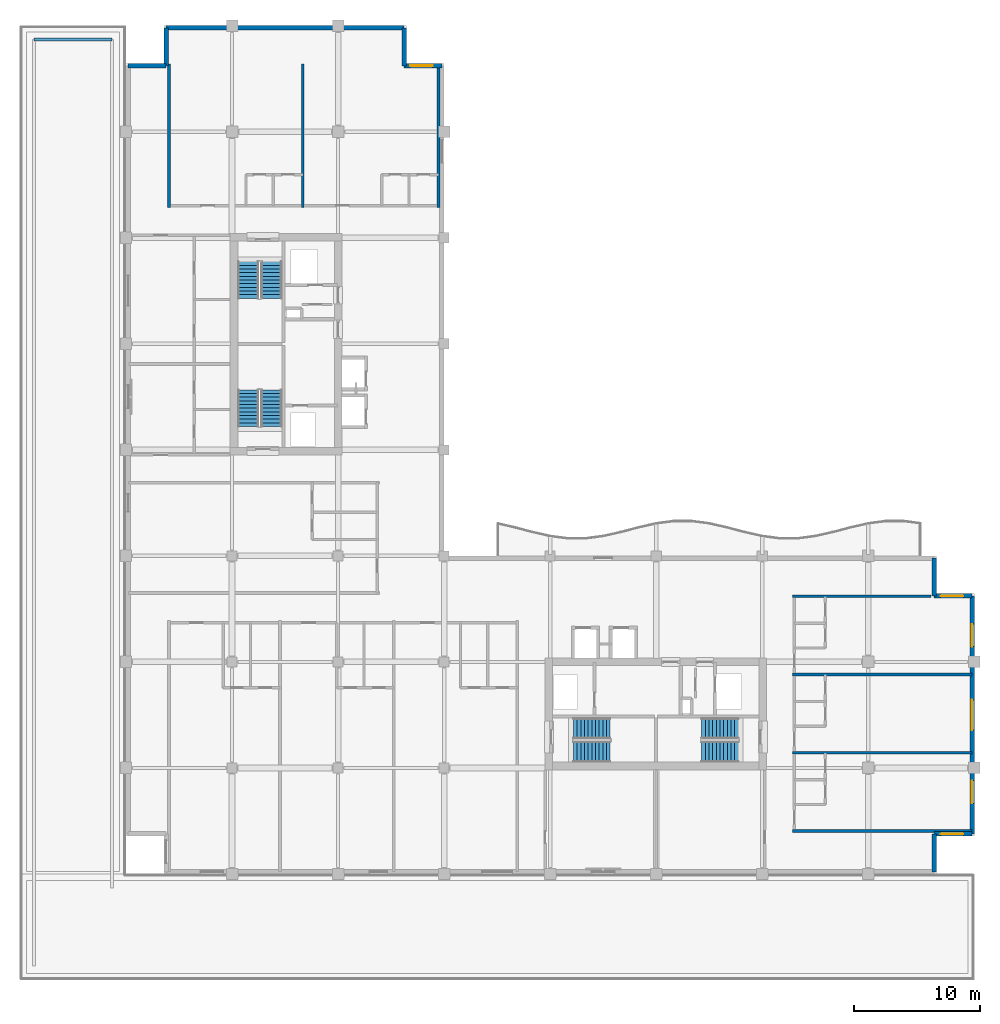
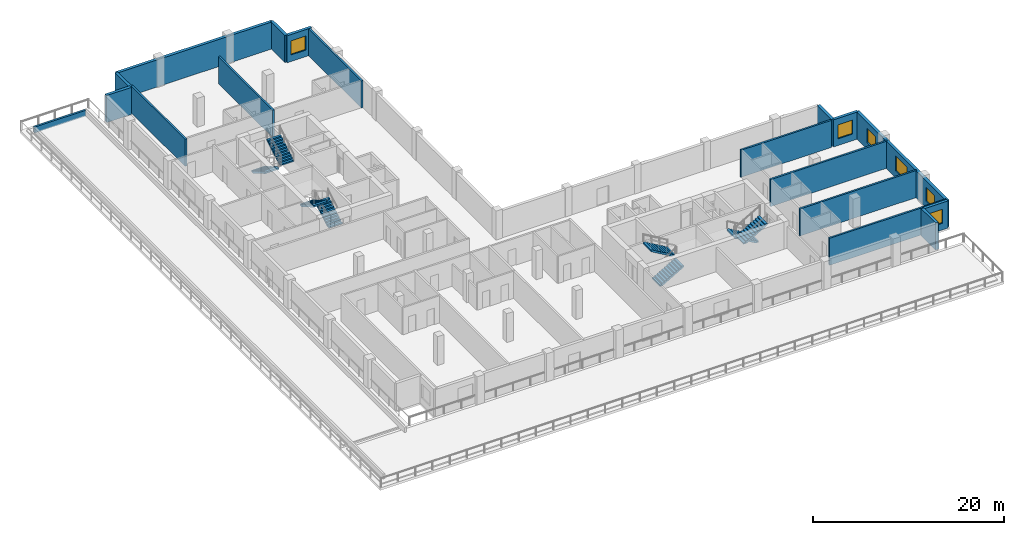
# One storey, part 7 of 13: 18 walls, 8 stair flights, 6 windows, 6 openings, 4 elements without a shape of their own.
"""IFC4 building model written with IfcOpenShell, lengths in metres."""

from ifc_helpers import new_model, si_unit, direction, frame, frame_2d, origin, place, context, subcontext, project, spatial, polyline, rectangle, outline, extrude, material, layer, layer_set, type_object, element, fill, aggregate, save


model = new_model("IFC4")

# Units and contexts
model_context = context("Model", 3, precision=1e-05, world=origin(), true_north=direction((0.0, 1.0)))
body_context = subcontext(model_context, "Body", "Model", "MODEL_VIEW")
ifc_project = project(units=[si_unit("LENGTHUNIT", "METRE"), si_unit("AREAUNIT", "SQUARE_METRE"), si_unit("VOLUMEUNIT", "CUBIC_METRE"), si_unit("PLANEANGLEUNIT", "RADIAN"), si_unit("MASSUNIT", "GRAM", prefix="KILO")], contexts=[model_context])

# Site, building, storey
site_placement = place(None, origin())
site = spatial("IfcSite", under=ifc_project, at=site_placement, CompositionType="ELEMENT")
building_placement = place(site_placement, origin())
building = spatial("IfcBuilding", under=site, at=building_placement, Name="Koriwani Terraces Tower", CompositionType="ELEMENT")
storey_placement = place(building_placement, frame((0.0, 0.0, 234.199951171875)))
storey = spatial("IfcBuildingStorey", under=building, at=storey_placement, Name="L57", CompositionType="ELEMENT", Elevation=234.199951171875)

# Walls
ifc_material_1 = material(Name="Autoclaved Cellular Concrete Blockwork", Category="masonry")
ifc_layer_1 = layer(ifc_material_1, 0.219970703125, Name="Autoclaved Cellular Concrete Blockwork")
ifc_layer_set_1 = layer_set([ifc_layer_1], Name="Autoclaved Cellular Concrete Blockwork")
wall_type_1 = type_object("IfcWallType", Name="WALL_DEMISING_220", PredefinedType="PARTITIONING", material=ifc_layer_set_1)
for number, where, z_axis, x_axis, name in (
    (1, (11.800048828125, 61.199951171875, 0.0), (0.0, 0.0, 1.0), (0.0, 1.0, 0.0), "L57 Interior Wall WRDEM-L57-NTS-0"),
    (2, (22.39990234375, 61.199951171875, 0.0), (0.0, 0.0, 1.0), (0.0, 1.0, 0.0), "L57 Interior Wall WRDEM-L57-NTS-1"),
    (3, (33.14990234375, 61.199951171875, 0.0), (0.0, 0.0, 1.0), (0.0, 1.0, 0.0), "L57 Interior Wall WRDEME-L57-NTS"),
):
    element("IfcWall", number, at=place(storey_placement, frame(where, z_axis=z_axis, x_axis=x_axis)), inside=storey, type_object=wall_type_1, Name=name, PredefinedType="PARTITIONING", context=body_context, shape_type="SweptSolid", body=[
        extrude(rectangle(XDim=11.380126953125, YDim=0.219970703125, at=frame_2d((5.68994140625, 0.0))), origin(), (0.0, 0.0, 1.0), 3.469970703125),
    ])
for number, where, z_axis, x_axis, name in (
    (4, (61.199951171875, 11.800048828125, 0.0), (0.0, 0.0, 1.0), (1.0, 0.0, 0.0), "L57 Interior Wall WRDEM-L57-ETE-0"),
    (5, (61.199951171875, 18.0, 0.0), (0.0, 0.0, 1.0), (1.0, 0.0, 0.0), "L57 Interior Wall WRDEM-L57-ETE-1"),
    (6, (61.199951171875, 24.199951171875, 0.0), (0.0, 0.0, 1.0), (1.0, 0.0, 0.0), "L57 Interior Wall WRDEM-L57-ETE-2"),
):
    element("IfcWall", number, at=place(storey_placement, frame(where, z_axis=z_axis, x_axis=x_axis)), inside=storey, type_object=wall_type_1, Name=name, PredefinedType="PARTITIONING", context=body_context, shape_type="SweptSolid", body=[
        extrude(rectangle(XDim=14.199951171875, YDim=0.219970703125, at=frame_2d((7.10009765625, 0.0))), origin(), (0.0, 0.0, 1.0), 3.469970703125),
    ])
wall_1_placement = place(storey_placement, frame((61.199951171875, 30.39990234375, 0.0), z_axis=(0.0, 0.0, 1.0), x_axis=(1.0, 0.0, 0.0)))
element("IfcWall", 7, at=wall_1_placement, inside=storey, type_object=wall_type_1, Name="L57 Interior Wall WRDEME-L57-ETE", PredefinedType="PARTITIONING", context=body_context, shape_type="SweptSolid", body=[
    extrude(rectangle(XDim=10.97998046875, YDim=0.219970703125, at=frame_2d((5.489990234375, 0.0))), origin(), (0.0, 0.0, 1.0), 3.469970703125),
])
ifc_material_2 = material(Name="Concrete C50/60", Category="concrete")
ifc_layer_2 = layer(ifc_material_2, 0.35009765625, Name="Concrete C50/60")
ifc_layer_set_2 = layer_set([ifc_layer_2], Name="Concrete C50/60")
wall_type_2 = type_object("IfcWallType", Name="WALL_EXT_BRUTALIST_350", PredefinedType="STANDARD", material=ifc_layer_set_2)
for number, where, z_axis, x_axis, name in (
    (8, (8.574951171875, 72.425048828125, 0.0), (0.0, 0.0, 1.0), (1.0, 0.0, 0.0), "L57 Fair-Faced Brutalist Exterior Wall (N3)"),
    (9, (11.574951171875, 72.425048828125, 0.0), (0.0, 0.0, 1.0), (0.0, 1.0, 0.0), "L57 Fair-Faced Brutalist Exterior Wall (N4)"),
):
    element("IfcWall", number, at=place(storey_placement, frame(where, z_axis=z_axis, x_axis=x_axis)), inside=storey, type_object=wall_type_2, Name=name, PredefinedType="STANDARD", context=body_context, shape_type="SweptSolid", body=[
        extrude(rectangle(XDim=3.0, YDim=0.35009765625, at=frame_2d((1.5, 0.0))), origin(), (0.0, 0.0, 1.0), 3.469970703125),
    ])
wall_2_placement = place(storey_placement, frame((11.574951171875, 75.425048828125, 0.0), z_axis=(0.0, 0.0, 1.0), x_axis=(1.0, 0.0, 0.0)))
element("IfcWall", 10, at=wall_2_placement, inside=storey, type_object=wall_type_2, Name="L57 Fair-Faced Brutalist Exterior Wall (N_TIP)", PredefinedType="STANDARD", context=body_context, shape_type="SweptSolid", body=[
    extrude(rectangle(XDim=18.85009765625, YDim=0.35009765625, at=frame_2d((9.425048828125, 0.0))), origin(), (0.0, 0.0, 1.0), 3.469970703125),
])
wall_3_placement = place(storey_placement, frame((30.425048828125, 75.425048828125, 0.0), z_axis=(0.0, 0.0, 1.0), x_axis=(0.0, -1.0, 0.0)))
element("IfcWall", 11, at=wall_3_placement, inside=storey, type_object=wall_type_2, Name="L57 Fair-Faced Brutalist Exterior Wall (N6)", PredefinedType="STANDARD", context=body_context, shape_type="SweptSolid", body=[
    extrude(rectangle(XDim=3.0, YDim=0.35009765625, at=frame_2d((1.5, 0.0))), origin(), (0.0, 0.0, 1.0), 3.469970703125),
])

# Wall, opening, window
wall_4_placement = place(storey_placement, frame((30.425048828125, 72.425048828125, 0.0), z_axis=(0.0, 0.0, 1.0), x_axis=(1.0, 0.0, 0.0)))
wall_4 = element("IfcWall", 12, at=wall_4_placement, inside=storey, type_object=wall_type_2, Name="L57 Fair-Faced Brutalist Exterior Wall (N7)", PredefinedType="STANDARD", context=body_context, shape_type="SweptSolid", body=[
    extrude(rectangle(XDim=3.0, YDim=0.35009765625, at=frame_2d((1.5, 0.0))), origin(), (0.0, 0.0, 1.0), 3.469970703125),
])
opening_1_placement = place(wall_4_placement, frame((0.472412109375, 0.0, 0.85009765625)))
opening_1 = element("IfcOpeningElement", 13, at=opening_1_placement, cuts=wall_4, Name="Opening W-04", PredefinedType="OPENING", context=body_context, shape_type="SweptSolid", body=[
    extrude(rectangle(XDim=1.800048828125, YDim=1.800048828125, at=frame_2d((0.89990234375, 0.89990234375))), frame((0.0, 0.18505859375, 0.0), z_axis=(0.0, -1.0, 0.0), x_axis=(1.0, 0.0, 0.0)), (0.0, 0.0, 1.0), 0.3701171875),
])
ifc_material_3 = material(Name="Tempered Laminated Low-E Glass", Category="glass")
window_type_1 = type_object("IfcWindowType", Name="WIN_RES_BED_1800X1800", PartitioningType="DOUBLE_PANEL_VERTICAL", PredefinedType="WINDOW", material=ifc_material_3)
window_1_placement = place(opening_1_placement, origin())
window_1 = element("IfcWindow", 14, at=window_1_placement, inside=storey, type_object=window_type_1, Name="L57 Exterior Window (N7-R46)", OverallHeight=1.800048828125, OverallWidth=1.800048828125, PartitioningType="SINGLE_PANEL", PredefinedType="WINDOW", context=body_context, shape_type="SweptSolid", body=[
    extrude(rectangle(XDim=1.800048828125, YDim=1.800048828125, at=frame_2d((0.89990234375, 0.89990234375))), frame((0.0, 0.030029296875, 0.0), z_axis=(0.0, -1.0, 0.0), x_axis=(1.0, 0.0, 0.0)), (0.0, 0.0, 1.0), 0.06005859375),
])
fill(opening_1, window_1)

# Wall
wall_5_placement = place(storey_placement, frame((72.425048828125, 33.425048828125, 0.0), z_axis=(0.0, 0.0, 1.0), x_axis=(0.0, -1.0, 0.0)))
element("IfcWall", 15, at=wall_5_placement, inside=storey, type_object=wall_type_2, Name="L57 Fair-Faced Brutalist Exterior Wall (N10)", PredefinedType="STANDARD", context=body_context, shape_type="SweptSolid", body=[
    extrude(rectangle(XDim=3.0, YDim=0.35009765625, at=frame_2d((1.5, 0.0))), origin(), (0.0, 0.0, 1.0), 3.469970703125),
])

# Wall, opening, window
wall_6_placement = place(storey_placement, frame((72.425048828125, 30.425048828125, 0.0), z_axis=(0.0, 0.0, 1.0), x_axis=(1.0, 0.0, 0.0)))
wall_6 = element("IfcWall", 16, at=wall_6_placement, inside=storey, type_object=wall_type_2, Name="L57 Fair-Faced Brutalist Exterior Wall (N11)", PredefinedType="STANDARD", context=body_context, shape_type="SweptSolid", body=[
    extrude(rectangle(XDim=3.0, YDim=0.35009765625, at=frame_2d((1.5, 0.0))), origin(), (0.0, 0.0, 1.0), 3.469970703125),
])
opening_2_placement = place(wall_6_placement, frame((0.507568359375, 0.0, 0.85009765625)))
opening_2 = element("IfcOpeningElement", 17, at=opening_2_placement, cuts=wall_6, Name="Opening W-04", PredefinedType="OPENING", context=body_context, shape_type="SweptSolid", body=[
    extrude(rectangle(XDim=1.800048828125, YDim=1.800048828125, at=frame_2d((0.89990234375, 0.89990234375))), frame((0.0, 0.18505859375, 0.0), z_axis=(0.0, -1.0, 0.0), x_axis=(1.0, 0.0, 0.0)), (0.0, 0.0, 1.0), 0.3701171875),
])
window_2_placement = place(opening_2_placement, origin())
window_2 = element("IfcWindow", 18, at=window_2_placement, inside=storey, type_object=window_type_1, Name="L57 Exterior Window (N11-R55)", OverallHeight=1.800048828125, OverallWidth=1.800048828125, PartitioningType="SINGLE_PANEL", PredefinedType="WINDOW", context=body_context, shape_type="SweptSolid", body=[
    extrude(rectangle(XDim=1.800048828125, YDim=1.800048828125, at=frame_2d((0.89990234375, 0.89990234375))), frame((0.0, 0.030029296875, 0.0), z_axis=(0.0, -1.0, 0.0), x_axis=(1.0, 0.0, 0.0)), (0.0, 0.0, 1.0), 0.06005859375),
])
fill(opening_2, window_2)

# Wall, openings, windows
wall_7_placement = place(storey_placement, frame((75.425048828125, 30.425048828125, 0.0), z_axis=(0.0, 0.0, 1.0), x_axis=(0.0, -1.0, 0.0)))
wall_7 = element("IfcWall", 19, at=wall_7_placement, inside=storey, type_object=wall_type_2, Name="L57 Fair-Faced Brutalist Exterior Wall (E_TIP)", PredefinedType="STANDARD", context=body_context, shape_type="SweptSolid", body=[
    extrude(rectangle(XDim=18.85009765625, YDim=0.35009765625, at=frame_2d((9.425048828125, 0.0))), origin(), (0.0, 0.0, 1.0), 3.469970703125),
])
opening_3_placement = place(wall_7_placement, frame((8.22509765625, 0.0, 0.85009765625)))
opening_3 = element("IfcOpeningElement", 20, at=opening_3_placement, cuts=wall_7, Name="Opening W-03", PredefinedType="OPENING", context=body_context, shape_type="SweptSolid", body=[
    extrude(rectangle(XDim=2.39990234375, YDim=1.949951171875, at=frame_2d((1.199951171875, 0.97509765625))), frame((0.0, 0.18505859375, 0.0), z_axis=(0.0, -1.0, 0.0), x_axis=(1.0, 0.0, 0.0)), (0.0, 0.0, 1.0), 0.3701171875),
])
opening_4_placement = place(wall_7_placement, frame((14.625, 0.0, 0.85009765625)))
opening_4 = element("IfcOpeningElement", 21, at=opening_4_placement, cuts=wall_7, Name="Opening W-04", PredefinedType="OPENING", context=body_context, shape_type="SweptSolid", body=[
    extrude(rectangle(XDim=1.800048828125, YDim=1.800048828125, at=frame_2d((0.89990234375, 0.89990234375))), frame((0.0, 0.18505859375, 0.0), z_axis=(0.0, -1.0, 0.0), x_axis=(1.0, 0.0, 0.0)), (0.0, 0.0, 1.0), 0.3701171875),
])
opening_5_placement = place(wall_7_placement, frame((2.22509765625, 0.0, 0.85009765625)))
opening_5 = element("IfcOpeningElement", 22, at=opening_5_placement, cuts=wall_7, Name="Opening W-04", PredefinedType="OPENING", context=body_context, shape_type="SweptSolid", body=[
    extrude(rectangle(XDim=1.800048828125, YDim=1.800048828125, at=frame_2d((0.89990234375, 0.89990234375))), frame((0.0, 0.18505859375, 0.0), z_axis=(0.0, -1.0, 0.0), x_axis=(1.0, 0.0, 0.0)), (0.0, 0.0, 1.0), 0.3701171875),
])
window_3_placement = place(opening_4_placement, origin())
window_3 = element("IfcWindow", 23, at=window_3_placement, inside=storey, type_object=window_type_1, Name="L57 Exterior Window (E_TIP-R49)", OverallHeight=1.800048828125, OverallWidth=1.800048828125, PartitioningType="SINGLE_PANEL", PredefinedType="WINDOW", context=body_context, shape_type="SweptSolid", body=[
    extrude(rectangle(XDim=1.800048828125, YDim=1.800048828125, at=frame_2d((0.89990234375, 0.89990234375))), frame((0.0, 0.030029296875, 0.0), z_axis=(0.0, -1.0, 0.0), x_axis=(1.0, 0.0, 0.0)), (0.0, 0.0, 1.0), 0.06005859375),
])
fill(opening_4, window_3)
window_4_placement = place(opening_5_placement, origin())
window_4 = element("IfcWindow", 24, at=window_4_placement, inside=storey, type_object=window_type_1, Name="L57 Exterior Window (E_TIP-R55)", OverallHeight=1.800048828125, OverallWidth=1.800048828125, PartitioningType="SINGLE_PANEL", PredefinedType="WINDOW", context=body_context, shape_type="SweptSolid", body=[
    extrude(rectangle(XDim=1.800048828125, YDim=1.800048828125, at=frame_2d((0.89990234375, 0.89990234375))), frame((0.0, 0.030029296875, 0.0), z_axis=(0.0, -1.0, 0.0), x_axis=(1.0, 0.0, 0.0)), (0.0, 0.0, 1.0), 0.06005859375),
])
fill(opening_5, window_4)
window_type_2 = type_object("IfcWindowType", Name="WIN_RES_LIVING_2400X1950", PartitioningType="DOUBLE_PANEL_VERTICAL", PredefinedType="WINDOW", material=ifc_material_3)
window_5_placement = place(opening_3_placement, origin())
window_5 = element("IfcWindow", 25, at=window_5_placement, inside=storey, type_object=window_type_2, Name="L57 Exterior Window (E_TIP-3)", OverallHeight=1.949951171875, OverallWidth=2.39990234375, PartitioningType="SINGLE_PANEL", PredefinedType="WINDOW", context=body_context, shape_type="SweptSolid", body=[
    extrude(rectangle(XDim=2.39990234375, YDim=1.949951171875, at=frame_2d((1.199951171875, 0.97509765625))), frame((0.0, 0.030029296875, 0.0), z_axis=(0.0, -1.0, 0.0), x_axis=(1.0, 0.0, 0.0)), (0.0, 0.0, 1.0), 0.06005859375),
])
fill(opening_3, window_5)

# Wall, opening, window
wall_8_placement = place(storey_placement, frame((75.425048828125, 11.574951171875, 0.0), z_axis=(0.0, 0.0, 1.0), x_axis=(-1.0, 0.0, 0.0)))
wall_8 = element("IfcWall", 26, at=wall_8_placement, inside=storey, type_object=wall_type_2, Name="L57 Fair-Faced Brutalist Exterior Wall (N13)", PredefinedType="STANDARD", context=body_context, shape_type="SweptSolid", body=[
    extrude(rectangle(XDim=3.0, YDim=0.35009765625, at=frame_2d((1.5, 0.0))), origin(), (0.0, 0.0, 1.0), 3.469970703125),
])
opening_6_placement = place(wall_8_placement, frame((0.6923828125, 0.0, 0.85009765625)))
opening_6 = element("IfcOpeningElement", 27, at=opening_6_placement, cuts=wall_8, Name="Opening W-04", PredefinedType="OPENING", context=body_context, shape_type="SweptSolid", body=[
    extrude(rectangle(XDim=1.800048828125, YDim=1.800048828125, at=frame_2d((0.89990234375, 0.89990234375))), frame((0.0, 0.18505859375, 0.0), z_axis=(0.0, -1.0, 0.0), x_axis=(1.0, 0.0, 0.0)), (0.0, 0.0, 1.0), 0.3701171875),
])
window_6_placement = place(opening_6_placement, origin())
window_6 = element("IfcWindow", 28, at=window_6_placement, inside=storey, type_object=window_type_1, Name="L57 Exterior Window (N13-R49)", OverallHeight=1.800048828125, OverallWidth=1.800048828125, PartitioningType="SINGLE_PANEL", PredefinedType="WINDOW", context=body_context, shape_type="SweptSolid", body=[
    extrude(rectangle(XDim=1.800048828125, YDim=1.800048828125, at=frame_2d((0.89990234375, 0.89990234375))), frame((0.0, 0.030029296875, 0.0), z_axis=(0.0, -1.0, 0.0), x_axis=(1.0, 0.0, 0.0)), (0.0, 0.0, 1.0), 0.06005859375),
])
fill(opening_6, window_6)

# Walls
wall_9_placement = place(storey_placement, frame((72.425048828125, 11.574951171875, 0.0), z_axis=(0.0, 0.0, 1.0), x_axis=(0.0, -1.0, 0.0)))
element("IfcWall", 29, at=wall_9_placement, inside=storey, type_object=wall_type_2, Name="L57 Fair-Faced Brutalist Exterior Wall (N14)", PredefinedType="STANDARD", context=body_context, shape_type="SweptSolid", body=[
    extrude(rectangle(XDim=3.0, YDim=0.35009765625, at=frame_2d((1.5, 0.0))), origin(), (0.0, 0.0, 1.0), 3.469970703125),
])
ifc_material_4 = material(Name="Concrete C40/50", Category="concrete")
ifc_layer_3 = layer(ifc_material_4, 0.239990234375, Name="Concrete C40/50")
ifc_layer_set_3 = layer_set([ifc_layer_3], Name="Concrete C40/50")
wall_type_3 = type_object("IfcWallType", Name="WALL_TERRACE_PLANTER_240", PredefinedType="USERDEFINED", material=ifc_layer_set_3)
wall_10_placement = place(storey_placement, frame((1.10009765625, 74.5, 0.0), z_axis=(0.0, 0.0, 1.0), x_axis=(1.0, 0.0, 0.0)))
element("IfcWall", 30, at=wall_10_placement, inside=storey, type_object=wall_type_3, Name="L57 Sky-Garden Planted Terrace Planter Wall 2", ObjectType="PLANTER", PredefinedType="USERDEFINED", context=body_context, shape_type="SweptSolid", body=[
    extrude(rectangle(XDim=6.199951171875, YDim=0.239990234375, at=frame_2d((3.10009765625, 0.0))), origin(), (0.0, 0.0, 1.0), 0.75),
])

# Stair, stair flights
stair_type = type_object("IfcStairType", Name="STAIR_CORE_DOGLEG_1650", PredefinedType="TWO_STRAIGHT_RUN_STAIR", material=ifc_material_4)
stair_1_placement = place(storey_placement, origin())
stair_1 = element("IfcStair", 31, at=stair_1_placement, inside=storey, type_object=stair_type, Name="L57 West Core Exit Stair 1", PredefinedType="HALF_TURN_STAIR")
stair_flight_type = type_object("IfcStairFlightType", Name="STAIR_FLIGHT_RC_1650", PredefinedType="STRAIGHT", material=ifc_material_4)
stair_flight_1_placement = place(storey_placement, frame((19.925048828125, 43.85009765625, 0.0), z_axis=(0.0, 0.0, 1.0), x_axis=(0.0, 1.0, 0.0)))
stair_flight_1 = element("IfcStairFlight", 32, at=stair_flight_1_placement, type_object=stair_flight_type, Name="ST-W1 flight 1", NumberOfRisers=11, NumberOfTreads=10, PredefinedType="STRAIGHT", RiserHeight=0.168181818, TreadLength=0.29, context=body_context, shape_type="SweptSolid", body=[
    extrude(outline(polyline([(0.0, 0.0), (0.0, 0.168212890625), (0.2900390625, 0.168212890625), (0.2900390625, 0.33642578125), (0.580078125, 0.33642578125), (0.580078125, 0.504638671875), (0.8701171875, 0.504638671875), (0.8701171875, 0.672607421875), (1.159912109375, 0.672607421875), (1.159912109375, 0.8408203125), (1.449951171875, 0.8408203125), (1.449951171875, 1.009033203125), (1.739990234375, 1.009033203125), (1.739990234375, 1.17724609375), (2.030029296875, 1.17724609375), (2.030029296875, 1.345458984375), (2.320068359375, 1.345458984375), (2.320068359375, 1.513671875), (2.610107421875, 1.513671875), (2.610107421875, 1.681884765625), (2.89990234375, 1.681884765625), (2.89990234375, 1.85009765625), (2.89990234375, 1.473876953125), (0.358642578125, 0.0), (0.0, 0.0)])), frame((0.0, 0.824951171875, 0.0), z_axis=(0.0, -1.0, 0.0), x_axis=(1.0, 0.0, 0.0)), (0.0, 0.0, 1.0), 1.64990234375),
])
stair_flight_2_placement = place(storey_placement, frame((18.074951171875, 46.75, 1.85009765625), z_axis=(0.0, 0.0, 1.0), x_axis=(0.0, -1.0, 0.0)))
stair_flight_2 = element("IfcStairFlight", 33, at=stair_flight_2_placement, type_object=stair_flight_type, Name="ST-W1 flight 2", NumberOfRisers=11, NumberOfTreads=10, PredefinedType="STRAIGHT", RiserHeight=0.168181818, TreadLength=0.29, context=body_context, shape_type="SweptSolid", body=[
    extrude(outline(polyline([(0.0, 0.0), (0.0, 0.168212890625), (0.2900390625, 0.168212890625), (0.2900390625, 0.33642578125), (0.580078125, 0.33642578125), (0.580078125, 0.504638671875), (0.8701171875, 0.504638671875), (0.8701171875, 0.672607421875), (1.159912109375, 0.672607421875), (1.159912109375, 0.8408203125), (1.449951171875, 0.8408203125), (1.449951171875, 1.009033203125), (1.739990234375, 1.009033203125), (1.739990234375, 1.17724609375), (2.030029296875, 1.17724609375), (2.030029296875, 1.345458984375), (2.320068359375, 1.345458984375), (2.320068359375, 1.513671875), (2.610107421875, 1.513671875), (2.610107421875, 1.681884765625), (2.89990234375, 1.681884765625), (2.89990234375, 1.85009765625), (2.89990234375, 1.473876953125), (0.358642578125, 0.0), (0.0, 0.0)])), frame((0.0, 0.824951171875, 0.0), z_axis=(0.0, -1.0, 0.0), x_axis=(1.0, 0.0, 0.0)), (0.0, 0.0, 1.0), 1.64990234375),
])
aggregate(stair_1, [stair_flight_1, stair_flight_2])

stair_2_placement = place(storey_placement, origin())
stair_2 = element("IfcStair", 34, at=stair_2_placement, inside=storey, type_object=stair_type, Name="L57 West Core Exit Stair 2", PredefinedType="HALF_TURN_STAIR")
stair_flight_3_placement = place(storey_placement, frame((18.074951171875, 56.89990234375, 0.0), z_axis=(0.0, 0.0, 1.0), x_axis=(0.0, -1.0, 0.0)))
stair_flight_3 = element("IfcStairFlight", 35, at=stair_flight_3_placement, type_object=stair_flight_type, Name="ST-W2 flight 1", NumberOfRisers=11, NumberOfTreads=10, PredefinedType="STRAIGHT", RiserHeight=0.168181818, TreadLength=0.29, context=body_context, shape_type="SweptSolid", body=[
    extrude(outline(polyline([(0.0, 0.0), (0.0, 0.168212890625), (0.2900390625, 0.168212890625), (0.2900390625, 0.33642578125), (0.580078125, 0.33642578125), (0.580078125, 0.504638671875), (0.8701171875, 0.504638671875), (0.8701171875, 0.672607421875), (1.159912109375, 0.672607421875), (1.159912109375, 0.8408203125), (1.449951171875, 0.8408203125), (1.449951171875, 1.009033203125), (1.739990234375, 1.009033203125), (1.739990234375, 1.17724609375), (2.030029296875, 1.17724609375), (2.030029296875, 1.345458984375), (2.320068359375, 1.345458984375), (2.320068359375, 1.513671875), (2.610107421875, 1.513671875), (2.610107421875, 1.681884765625), (2.89990234375, 1.681884765625), (2.89990234375, 1.85009765625), (2.89990234375, 1.473876953125), (0.358642578125, 0.0), (0.0, 0.0)])), frame((0.0, 0.824951171875, 0.0), z_axis=(0.0, -1.0, 0.0), x_axis=(1.0, 0.0, 0.0)), (0.0, 0.0, 1.0), 1.64990234375),
])
stair_flight_4_placement = place(storey_placement, frame((19.925048828125, 54.0, 1.85009765625), z_axis=(0.0, 0.0, 1.0), x_axis=(0.0, 1.0, 0.0)))
stair_flight_4 = element("IfcStairFlight", 36, at=stair_flight_4_placement, type_object=stair_flight_type, Name="ST-W2 flight 2", NumberOfRisers=11, NumberOfTreads=10, PredefinedType="STRAIGHT", RiserHeight=0.168181818, TreadLength=0.29, context=body_context, shape_type="SweptSolid", body=[
    extrude(outline(polyline([(0.0, 0.0), (0.0, 0.168212890625), (0.2900390625, 0.168212890625), (0.2900390625, 0.33642578125), (0.580078125, 0.33642578125), (0.580078125, 0.504638671875), (0.8701171875, 0.504638671875), (0.8701171875, 0.672607421875), (1.159912109375, 0.672607421875), (1.159912109375, 0.8408203125), (1.449951171875, 0.8408203125), (1.449951171875, 1.009033203125), (1.739990234375, 1.009033203125), (1.739990234375, 1.17724609375), (2.030029296875, 1.17724609375), (2.030029296875, 1.345458984375), (2.320068359375, 1.345458984375), (2.320068359375, 1.513671875), (2.610107421875, 1.513671875), (2.610107421875, 1.681884765625), (2.89990234375, 1.681884765625), (2.89990234375, 1.85009765625), (2.89990234375, 1.473876953125), (0.358642578125, 0.0), (0.0, 0.0)])), frame((0.0, 0.824951171875, 0.0), z_axis=(0.0, -1.0, 0.0), x_axis=(1.0, 0.0, 0.0)), (0.0, 0.0, 1.0), 1.64990234375),
])
aggregate(stair_2, [stair_flight_3, stair_flight_4])

stair_3_placement = place(storey_placement, origin())
stair_3 = element("IfcStair", 37, at=stair_3_placement, inside=storey, type_object=stair_type, Name="L57 East Core Exit Stair 1", PredefinedType="HALF_TURN_STAIR")
stair_flight_5_placement = place(storey_placement, frame((43.85009765625, 18.074951171875, 0.0), z_axis=(0.0, 0.0, 1.0), x_axis=(1.0, 0.0, 0.0)))
stair_flight_5 = element("IfcStairFlight", 38, at=stair_flight_5_placement, type_object=stair_flight_type, Name="ST-E1 flight 1", NumberOfRisers=11, NumberOfTreads=10, PredefinedType="STRAIGHT", RiserHeight=0.168181818, TreadLength=0.29, context=body_context, shape_type="SweptSolid", body=[
    extrude(outline(polyline([(0.0, 0.0), (0.0, 0.168212890625), (0.2900390625, 0.168212890625), (0.2900390625, 0.33642578125), (0.580078125, 0.33642578125), (0.580078125, 0.504638671875), (0.8701171875, 0.504638671875), (0.8701171875, 0.672607421875), (1.159912109375, 0.672607421875), (1.159912109375, 0.8408203125), (1.449951171875, 0.8408203125), (1.449951171875, 1.009033203125), (1.739990234375, 1.009033203125), (1.739990234375, 1.17724609375), (2.030029296875, 1.17724609375), (2.030029296875, 1.345458984375), (2.320068359375, 1.345458984375), (2.320068359375, 1.513671875), (2.610107421875, 1.513671875), (2.610107421875, 1.681884765625), (2.89990234375, 1.681884765625), (2.89990234375, 1.85009765625), (2.89990234375, 1.473876953125), (0.358642578125, 0.0), (0.0, 0.0)])), frame((0.0, 0.824951171875, 0.0), z_axis=(0.0, -1.0, 0.0), x_axis=(1.0, 0.0, 0.0)), (0.0, 0.0, 1.0), 1.64990234375),
])
stair_flight_6_placement = place(storey_placement, frame((46.75, 19.925048828125, 1.85009765625), z_axis=(0.0, 0.0, 1.0), x_axis=(-1.0, 0.0, 0.0)))
stair_flight_6 = element("IfcStairFlight", 39, at=stair_flight_6_placement, type_object=stair_flight_type, Name="ST-E1 flight 2", NumberOfRisers=11, NumberOfTreads=10, PredefinedType="STRAIGHT", RiserHeight=0.168181818, TreadLength=0.29, context=body_context, shape_type="SweptSolid", body=[
    extrude(outline(polyline([(0.0, 0.0), (0.0, 0.168212890625), (0.2900390625, 0.168212890625), (0.2900390625, 0.33642578125), (0.580078125, 0.33642578125), (0.580078125, 0.504638671875), (0.8701171875, 0.504638671875), (0.8701171875, 0.672607421875), (1.159912109375, 0.672607421875), (1.159912109375, 0.8408203125), (1.449951171875, 0.8408203125), (1.449951171875, 1.009033203125), (1.739990234375, 1.009033203125), (1.739990234375, 1.17724609375), (2.030029296875, 1.17724609375), (2.030029296875, 1.345458984375), (2.320068359375, 1.345458984375), (2.320068359375, 1.513671875), (2.610107421875, 1.513671875), (2.610107421875, 1.681884765625), (2.89990234375, 1.681884765625), (2.89990234375, 1.85009765625), (2.89990234375, 1.473876953125), (0.358642578125, 0.0), (0.0, 0.0)])), frame((0.0, 0.824951171875, 0.0), z_axis=(0.0, -1.0, 0.0), x_axis=(1.0, 0.0, 0.0)), (0.0, 0.0, 1.0), 1.64990234375),
])
aggregate(stair_3, [stair_flight_5, stair_flight_6])

stair_4_placement = place(storey_placement, origin())
stair_4 = element("IfcStair", 40, at=stair_4_placement, inside=storey, type_object=stair_type, Name="L57 East Core Exit Stair 2", PredefinedType="HALF_TURN_STAIR")
stair_flight_7_placement = place(storey_placement, frame((56.89990234375, 19.925048828125, 0.0), z_axis=(0.0, 0.0, 1.0), x_axis=(-1.0, 0.0, 0.0)))
stair_flight_7 = element("IfcStairFlight", 41, at=stair_flight_7_placement, type_object=stair_flight_type, Name="ST-E2 flight 1", NumberOfRisers=11, NumberOfTreads=10, PredefinedType="STRAIGHT", RiserHeight=0.168181818, TreadLength=0.29, context=body_context, shape_type="SweptSolid", body=[
    extrude(outline(polyline([(0.0, 0.0), (0.0, 0.168212890625), (0.2900390625, 0.168212890625), (0.2900390625, 0.33642578125), (0.580078125, 0.33642578125), (0.580078125, 0.504638671875), (0.8701171875, 0.504638671875), (0.8701171875, 0.672607421875), (1.159912109375, 0.672607421875), (1.159912109375, 0.8408203125), (1.449951171875, 0.8408203125), (1.449951171875, 1.009033203125), (1.739990234375, 1.009033203125), (1.739990234375, 1.17724609375), (2.030029296875, 1.17724609375), (2.030029296875, 1.345458984375), (2.320068359375, 1.345458984375), (2.320068359375, 1.513671875), (2.610107421875, 1.513671875), (2.610107421875, 1.681884765625), (2.89990234375, 1.681884765625), (2.89990234375, 1.85009765625), (2.89990234375, 1.473876953125), (0.358642578125, 0.0), (0.0, 0.0)])), frame((0.0, 0.824951171875, 0.0), z_axis=(0.0, -1.0, 0.0), x_axis=(1.0, 0.0, 0.0)), (0.0, 0.0, 1.0), 1.64990234375),
])
stair_flight_8_placement = place(storey_placement, frame((54.0, 18.074951171875, 1.85009765625), z_axis=(0.0, 0.0, 1.0), x_axis=(1.0, 0.0, 0.0)))
stair_flight_8 = element("IfcStairFlight", 42, at=stair_flight_8_placement, type_object=stair_flight_type, Name="ST-E2 flight 2", NumberOfRisers=11, NumberOfTreads=10, PredefinedType="STRAIGHT", RiserHeight=0.168181818, TreadLength=0.29, context=body_context, shape_type="SweptSolid", body=[
    extrude(outline(polyline([(0.0, 0.0), (0.0, 0.168212890625), (0.2900390625, 0.168212890625), (0.2900390625, 0.33642578125), (0.580078125, 0.33642578125), (0.580078125, 0.504638671875), (0.8701171875, 0.504638671875), (0.8701171875, 0.672607421875), (1.159912109375, 0.672607421875), (1.159912109375, 0.8408203125), (1.449951171875, 0.8408203125), (1.449951171875, 1.009033203125), (1.739990234375, 1.009033203125), (1.739990234375, 1.17724609375), (2.030029296875, 1.17724609375), (2.030029296875, 1.345458984375), (2.320068359375, 1.345458984375), (2.320068359375, 1.513671875), (2.610107421875, 1.513671875), (2.610107421875, 1.681884765625), (2.89990234375, 1.681884765625), (2.89990234375, 1.85009765625), (2.89990234375, 1.473876953125), (0.358642578125, 0.0), (0.0, 0.0)])), frame((0.0, 0.824951171875, 0.0), z_axis=(0.0, -1.0, 0.0), x_axis=(1.0, 0.0, 0.0)), (0.0, 0.0, 1.0), 1.64990234375),
])
aggregate(stair_4, [stair_flight_7, stair_flight_8])

save(model, "model.ifc")
